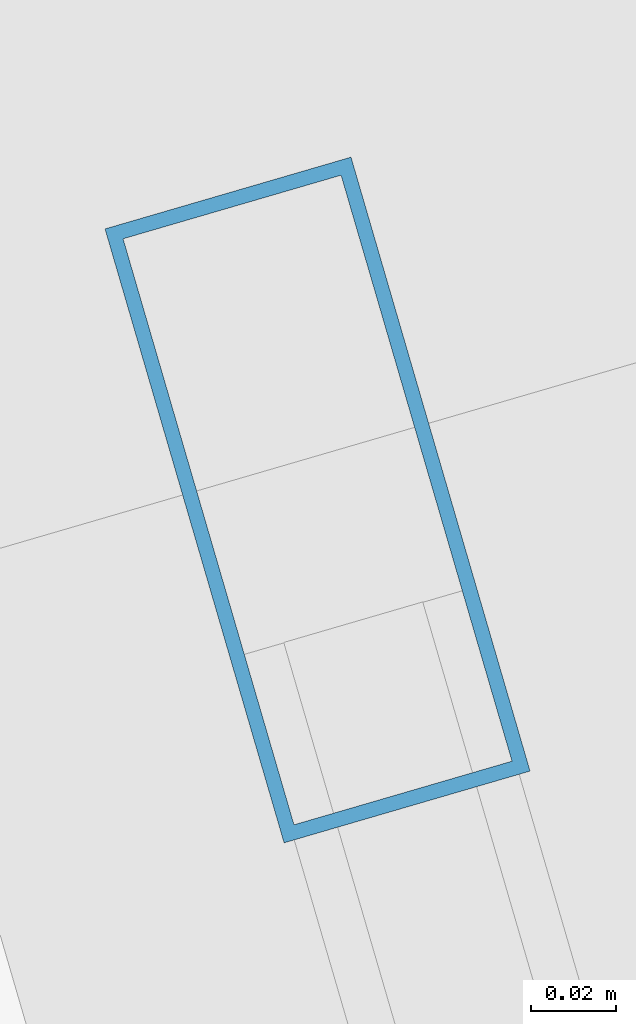
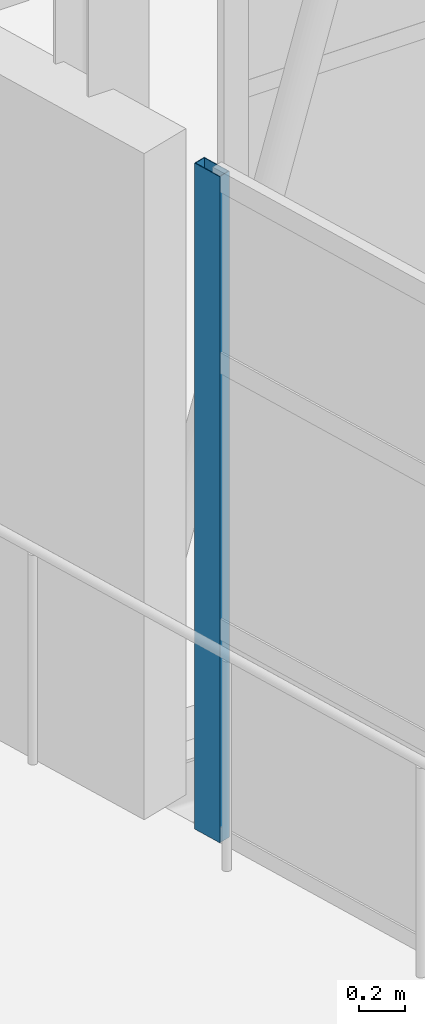
# One storey, part 82 of 248: 1 member, 1 element without a shape of its own.
"""IFC4 building model written with IfcOpenShell, lengths in metres."""

from ifc_helpers import new_model, si_unit, direction, frame, origin, origin_2d, place, context, subcontext, project, spatial, hollow_rectangle, extrude, material, layer, layer_set, material_profile, profile_set, type_object, element, aggregate, save


model = new_model("IFC4")

# Units and contexts
model_context = context("Model", 3, precision=1e-05, world=origin(), true_north=direction((0.0, 1.0)))
body_context = subcontext(model_context, "Body", "Model", "MODEL_VIEW")
ifc_project = project(units=[si_unit("LENGTHUNIT", "METRE"), si_unit("AREAUNIT", "SQUARE_METRE"), si_unit("VOLUMEUNIT", "CUBIC_METRE"), si_unit("PLANEANGLEUNIT", "RADIAN"), si_unit("MASSUNIT", "GRAM", prefix="KILO")], contexts=[model_context])

# Site, building, storey
site_placement = place(None, origin())
site = spatial("IfcSite", under=ifc_project, at=site_placement, CompositionType="ELEMENT")
building_placement = place(site_placement, origin())
building = spatial("IfcBuilding", under=site, at=building_placement, Name="Canggui Botanical Conservatory", CompositionType="ELEMENT")
storey_placement = place(building_placement, frame((0.0, 0.0, 5.39990234375)))
storey = spatial("IfcBuildingStorey", under=building, at=storey_placement, Name="L02", CompositionType="ELEMENT", Elevation=5.39990234375)

# Curtain wall, member
ifc_material = material(Name="Thermally Broken Aluminium", Category="aluminium")
ifc_layer = layer(ifc_material, 0.14990234375, Name="Thermally Broken Aluminium", Category="aluminium")
ifc_layer_set = layer_set([ifc_layer], Name="Thermally Broken Aluminium")
curtain_wall_type = type_object("IfcCurtainWallType", Name="CW-UNIT-C", PredefinedType="USERDEFINED", material=ifc_layer_set)
curtain_wall_placement = place(storey_placement, origin())
curtain_wall = element("IfcCurtainWall", 1, at=curtain_wall_placement, inside=storey, type_object=curtain_wall_type, Name="Facade Curtain Wall CW-CONS-GABLE-L02-N-03", ObjectType="UNITISED CURTAIN WALL", PredefinedType="USERDEFINED")
ifc_material_profile = material_profile(ifc_material, hollow_rectangle(XDim=0.06005859375, YDim=0.14990234375, WallThickness=0.00341796875, at=origin_2d()), Name="CWM 60x150x3.5")
ifc_profile_set = profile_set([ifc_material_profile], Name="Thermally Broken Aluminium")
member_type = type_object("IfcMemberType", Name="CWM-03", PredefinedType="MULLION", material=ifc_profile_set)
member_placement = place(storey_placement, frame((66.87841796875, 74.131103515625, 0.0), z_axis=(0.0, 0.0, 1.0), x_axis=(-0.960000000002, -0.279999999995, 0.0)))
member = element("IfcMember", 2, at=member_placement, type_object=member_type, Name="CW-03 mullion 4", PredefinedType="MULLION", context=body_context, shape_type="SweptSolid", body=[
    extrude(hollow_rectangle(XDim=0.06005859375, YDim=0.14990234375, WallThickness=0.00341796875, at=origin_2d()), origin(), (0.0, 0.0, 1.0), 3.5),
])
aggregate(curtain_wall, [member])

save(model, "model.ifc")
